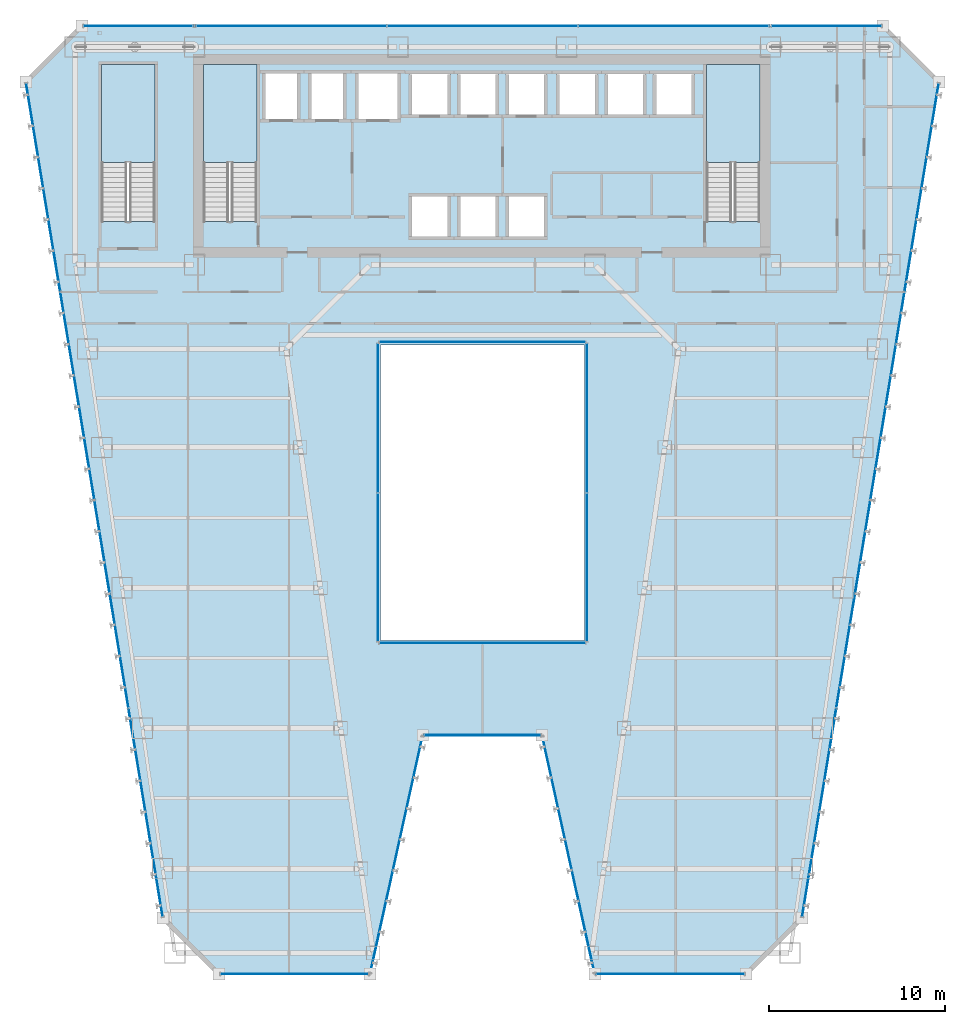
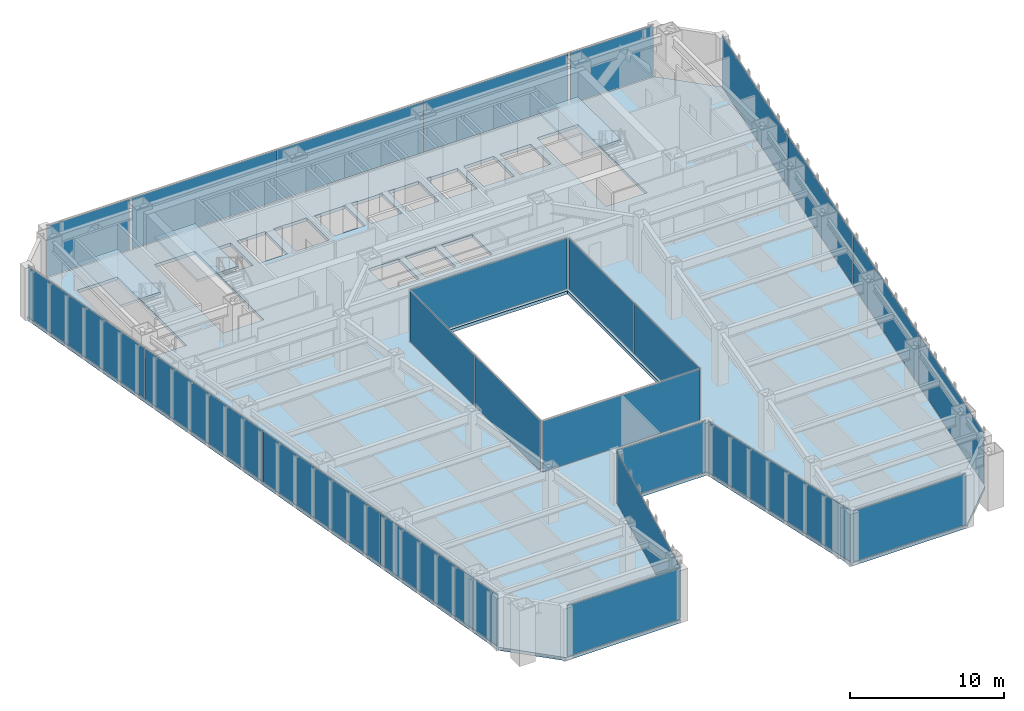
# One storey, part 34 of 47: 24 plates, 4 slabs, 17 elements without a shape of their own.
"""IFC4 building model written with IfcOpenShell, lengths in metres."""

from ifc_helpers import new_model, si_unit, direction, frame, origin, origin_2d, place, context, subcontext, project, spatial, polyline, rectangle, outline, extrude, material, layer, layer_set, type_object, element, aggregate, save


model = new_model("IFC4")

# Units and contexts
model_context = context("Model", 3, precision=1e-05, world=origin(), true_north=direction((0.0, 1.0)))
body_context = subcontext(model_context, "Body", "Model", "MODEL_VIEW")
ifc_project = project(units=[si_unit("LENGTHUNIT", "METRE"), si_unit("AREAUNIT", "SQUARE_METRE"), si_unit("VOLUMEUNIT", "CUBIC_METRE"), si_unit("PLANEANGLEUNIT", "RADIAN"), si_unit("MASSUNIT", "GRAM", prefix="KILO")], contexts=[model_context])

# Site, building, storey
site_placement = place(None, origin())
site = spatial("IfcSite", under=ifc_project, at=site_placement, CompositionType="ELEMENT")
building_placement = place(site_placement, origin())
building = spatial("IfcBuilding", under=site, at=building_placement, Name="Saevonmaru Cultural Tower", CompositionType="ELEMENT")
storey_placement = place(building_placement, frame((0.0, 0.0, 69.199951171875)))
storey = spatial("IfcBuildingStorey", under=building, at=storey_placement, Name="L14", CompositionType="ELEMENT", Elevation=69.199951171875)

# Curtain wall, plate
ifc_material_1 = material(Name="Satin Bronze Anodised Aluminium", Category="aluminium")
curtain_wall_type_1 = type_object("IfcCurtainWallType", Name="CW-ATR-GLZ", PredefinedType="NOTDEFINED", material=ifc_material_1)
curtain_wall_1_placement = place(storey_placement, origin())
curtain_wall_1 = element("IfcCurtainWall", 1, at=curtain_wall_1_placement, inside=storey, type_object=curtain_wall_type_1, Name="L14 Vertical Atrium Glazed Smoke Screen 1", PredefinedType="NOTDEFINED")
ifc_material_2 = material(Name="Fire-Rated Laminated Atrium Glass", Category="glass")
ifc_layer_1 = layer(ifc_material_2, 0.031982421875, Name="Fire-Rated Laminated Atrium Glass")
ifc_layer_set_1 = layer_set([ifc_layer_1], Name="Fire-Rated Laminated Atrium Glass")
plate_type_1 = type_object("IfcPlateType", Name="PN-GLZ-ATR-INT", PredefinedType="CURTAIN_PANEL", material=ifc_layer_set_1)
plate_1_placement = place(storey_placement, frame((30.0, 20.85009765625, 0.06689453125), z_axis=(0.0, 0.0, 1.0), x_axis=(1.0, 0.0, 0.0)))
plate_1 = element("IfcPlate", 2, at=plate_1_placement, type_object=plate_type_1, Name="CW-ATR-L14-1 panel 1.1", PredefinedType="CURTAIN_PANEL", context=body_context, shape_type="SweptSolid", body=[
    extrude(rectangle(XDim=11.7109375, YDim=0.031982421875, at=origin_2d()), origin(), (0.0, 0.0, 1.0), 4.01611328125),
])
aggregate(curtain_wall_1, [plate_1])

# Curtain wall, plates
curtain_wall_2_placement = place(storey_placement, origin())
curtain_wall_2 = element("IfcCurtainWall", 3, at=curtain_wall_2_placement, inside=storey, type_object=curtain_wall_type_1, Name="L14 Vertical Atrium Glazed Smoke Screen 2", PredefinedType="NOTDEFINED")
plate_2_placement = place(storey_placement, frame((35.949951171875, 25.1650390625, 0.06689453125), z_axis=(0.0, 0.0, 1.0), x_axis=(0.0, 1.0, 0.0)))
plate_2 = element("IfcPlate", 4, at=plate_2_placement, type_object=plate_type_1, Name="CW-ATR-L14-2 panel 1.1", PredefinedType="CURTAIN_PANEL", context=body_context, shape_type="SweptSolid", body=[
    extrude(rectangle(XDim=8.44091796875, YDim=0.031982421875, at=origin_2d()), origin(), (0.0, 0.0, 1.0), 4.01611328125),
])
plate_3_placement = place(storey_placement, frame((35.949951171875, 33.675048828125, 0.06689453125), z_axis=(0.0, 0.0, 1.0), x_axis=(0.0, 1.0, 0.0)))
plate_3 = element("IfcPlate", 5, at=plate_3_placement, type_object=plate_type_1, Name="CW-ATR-L14-2 panel 2.1", PredefinedType="CURTAIN_PANEL", context=body_context, shape_type="SweptSolid", body=[
    extrude(rectangle(XDim=8.44091796875, YDim=0.031982421875, at=origin_2d()), origin(), (0.0, 0.0, 1.0), 4.01611328125),
])
aggregate(curtain_wall_2, [plate_2, plate_3])

# Curtain wall, plate
curtain_wall_3_placement = place(storey_placement, origin())
curtain_wall_3 = element("IfcCurtainWall", 6, at=curtain_wall_3_placement, inside=storey, type_object=curtain_wall_type_1, Name="L14 Vertical Atrium Glazed Smoke Screen 3", PredefinedType="NOTDEFINED")
plate_4_placement = place(storey_placement, frame((30.0, 37.989990234375, 0.06689453125), z_axis=(0.0, 0.0, 1.0), x_axis=(-1.0, 0.0, 0.0)))
plate_4 = element("IfcPlate", 7, at=plate_4_placement, type_object=plate_type_1, Name="CW-ATR-L14-3 panel 1.1", PredefinedType="CURTAIN_PANEL", context=body_context, shape_type="SweptSolid", body=[
    extrude(rectangle(XDim=11.7109375, YDim=0.031982421875, at=origin_2d()), origin(), (0.0, 0.0, 1.0), 4.01611328125),
])
aggregate(curtain_wall_3, [plate_4])

# Curtain wall, plates
curtain_wall_4_placement = place(storey_placement, origin())
curtain_wall_4 = element("IfcCurtainWall", 8, at=curtain_wall_4_placement, inside=storey, type_object=curtain_wall_type_1, Name="L14 Vertical Atrium Glazed Smoke Screen 4", PredefinedType="NOTDEFINED")
plate_5_placement = place(storey_placement, frame((24.050048828125, 33.675048828125, 0.06689453125), z_axis=(0.0, 0.0, 1.0), x_axis=(0.0, -1.0, 0.0)))
plate_5 = element("IfcPlate", 9, at=plate_5_placement, type_object=plate_type_1, Name="CW-ATR-L14-4 panel 1.1", PredefinedType="CURTAIN_PANEL", context=body_context, shape_type="SweptSolid", body=[
    extrude(rectangle(XDim=8.44091796875, YDim=0.031982421875, at=origin_2d()), origin(), (0.0, 0.0, 1.0), 4.01611328125),
])
plate_6_placement = place(storey_placement, frame((24.050048828125, 25.1650390625, 0.06689453125), z_axis=(0.0, 0.0, 1.0), x_axis=(0.0, -1.0, 0.0)))
plate_6 = element("IfcPlate", 10, at=plate_6_placement, type_object=plate_type_1, Name="CW-ATR-L14-4 panel 2.1", PredefinedType="CURTAIN_PANEL", context=body_context, shape_type="SweptSolid", body=[
    extrude(rectangle(XDim=8.44091796875, YDim=0.031982421875, at=origin_2d()), origin(), (0.0, 0.0, 1.0), 4.01611328125),
])
aggregate(curtain_wall_4, [plate_5, plate_6])

# Curtain wall, plate
curtain_wall_type_2 = type_object("IfcCurtainWallType", Name="CW-TYP-A", PredefinedType="NOTDEFINED", material=ifc_material_1)
curtain_wall_5_placement = place(storey_placement, origin())
curtain_wall_5 = element("IfcCurtainWall", 11, at=curtain_wall_5_placement, inside=storey, type_object=curtain_wall_type_2, Name="L14 Unitised Curtain Wall E2", PredefinedType="NOTDEFINED")
ifc_material_3 = material(Name="Triple Silver Low-E Insulating Glass", Category="glass")
ifc_layer_2 = layer(ifc_material_3, 0.035888671875, Name="Triple Silver Low-E Insulating Glass")
ifc_layer_set_2 = layer_set([ifc_layer_2], Name="Triple Silver Low-E Insulating Glass")
plate_type_2 = type_object("IfcPlateType", Name="PN-GLZ-IGU", PredefinedType="CURTAIN_PANEL", material=ifc_layer_set_2)
plate_7_placement = place(storey_placement, frame((19.300048828125, 2.0, 0.06689453125), z_axis=(0.0, 0.0, 1.0), x_axis=(1.0, 0.0, 0.0)))
plate_7 = element("IfcPlate", 12, at=plate_7_placement, type_object=plate_type_2, Name="CW-TW-L14-E2 panel 1.1", PredefinedType="CURTAIN_PANEL", context=body_context, shape_type="SweptSolid", body=[
    extrude(rectangle(XDim=8.410888671875, YDim=0.035888671875, at=origin_2d()), origin(), (0.0, 0.0, 1.0), 4.01611328125),
])
aggregate(curtain_wall_5, [plate_7])

curtain_wall_6_placement = place(storey_placement, origin())
curtain_wall_6 = element("IfcCurtainWall", 13, at=curtain_wall_6_placement, inside=storey, type_object=curtain_wall_type_2, Name="L14 Unitised Curtain Wall E3", PredefinedType="NOTDEFINED")
plate_8_placement = place(storey_placement, frame((25.10009765625, 8.800048828125, 0.06689453125), z_axis=(0.0, 0.0, 1.0), x_axis=(0.215413319953, 0.976522965212, 0.0)))
plate_8 = element("IfcPlate", 14, at=plate_8_placement, type_object=plate_type_2, Name="CW-TW-L14-E3 panel 1.1", PredefinedType="CURTAIN_PANEL", context=body_context, shape_type="SweptSolid", body=[
    extrude(rectangle(XDim=13.738037109375, YDim=0.035888671875, at=origin_2d()), origin(), (0.0, 0.0, 1.0), 4.01611328125),
])
aggregate(curtain_wall_6, [plate_8])

curtain_wall_7_placement = place(storey_placement, origin())
curtain_wall_7 = element("IfcCurtainWall", 15, at=curtain_wall_7_placement, inside=storey, type_object=curtain_wall_type_2, Name="L14 Unitised Curtain Wall E4", PredefinedType="NOTDEFINED")
plate_9_placement = place(storey_placement, frame((30.0, 15.60009765625, 0.06689453125), z_axis=(0.0, 0.0, 1.0), x_axis=(1.0, 0.0, 0.0)))
plate_9 = element("IfcPlate", 16, at=plate_9_placement, type_object=plate_type_2, Name="CW-TW-L14-E4 panel 1.1", PredefinedType="CURTAIN_PANEL", context=body_context, shape_type="SweptSolid", body=[
    extrude(rectangle(XDim=6.611083984375, YDim=0.035888671875, at=origin_2d()), origin(), (0.0, 0.0, 1.0), 4.01611328125),
])
aggregate(curtain_wall_7, [plate_9])

curtain_wall_8_placement = place(storey_placement, origin())
curtain_wall_8 = element("IfcCurtainWall", 17, at=curtain_wall_8_placement, inside=storey, type_object=curtain_wall_type_2, Name="L14 Unitised Curtain Wall E5", PredefinedType="NOTDEFINED")
plate_10_placement = place(storey_placement, frame((34.89990234375, 8.800048828125, 0.06689453125), z_axis=(0.0, 0.0, 1.0), x_axis=(0.215413319953, -0.976522965212, 0.0)))
plate_10 = element("IfcPlate", 18, at=plate_10_placement, type_object=plate_type_2, Name="CW-TW-L14-E5 panel 1.1", PredefinedType="CURTAIN_PANEL", context=body_context, shape_type="SweptSolid", body=[
    extrude(rectangle(XDim=13.738037109375, YDim=0.035888671875, at=origin_2d()), origin(), (0.0, 0.0, 1.0), 4.01611328125),
])
aggregate(curtain_wall_8, [plate_10])

curtain_wall_9_placement = place(storey_placement, origin())
curtain_wall_9 = element("IfcCurtainWall", 19, at=curtain_wall_9_placement, inside=storey, type_object=curtain_wall_type_2, Name="L14 Unitised Curtain Wall E6", PredefinedType="NOTDEFINED")
plate_11_placement = place(storey_placement, frame((40.699951171875, 2.0, 0.06689453125), z_axis=(0.0, 0.0, 1.0), x_axis=(1.0, 0.0, 0.0)))
plate_11 = element("IfcPlate", 20, at=plate_11_placement, type_object=plate_type_2, Name="CW-TW-L14-E6 panel 1.1", PredefinedType="CURTAIN_PANEL", context=body_context, shape_type="SweptSolid", body=[
    extrude(rectangle(XDim=8.410888671875, YDim=0.035888671875, at=origin_2d()), origin(), (0.0, 0.0, 1.0), 4.01611328125),
])
aggregate(curtain_wall_9, [plate_11])

# Curtain wall, plates
curtain_wall_10_placement = place(storey_placement, origin())
curtain_wall_10 = element("IfcCurtainWall", 21, at=curtain_wall_10_placement, inside=storey, type_object=curtain_wall_type_2, Name="L14 Unitised Curtain Wall E8", PredefinedType="NOTDEFINED")
plate_12_placement = place(storey_placement, frame((49.182373046875, 11.1943359375, 0.06689453125), z_axis=(0.0, 0.0, 1.0), x_axis=(0.161708868641, 0.986838508472, 0.0)))
plate_12 = element("IfcPlate", 22, at=plate_12_placement, type_object=plate_type_2, Name="CW-TW-L14-E8 panel 1.1", PredefinedType="CURTAIN_PANEL", context=body_context, shape_type="SweptSolid", body=[
    extrude(rectangle(XDim=11.959716796875, YDim=0.035888671875, at=origin_2d()), origin(), (0.0, 0.0, 1.0), 4.01611328125),
])
plate_13_placement = place(storey_placement, frame((51.12744140625, 23.064697265625, 0.06689453125), z_axis=(0.0, 0.0, 1.0), x_axis=(0.161708868641, 0.986838508472, 0.0)))
plate_13 = element("IfcPlate", 23, at=plate_13_placement, type_object=plate_type_2, Name="CW-TW-L14-E8 panel 2.1", PredefinedType="CURTAIN_PANEL", context=body_context, shape_type="SweptSolid", body=[
    extrude(rectangle(XDim=11.959716796875, YDim=0.035888671875, at=origin_2d()), origin(), (0.0, 0.0, 1.0), 4.01611328125),
])
plate_14_placement = place(storey_placement, frame((53.072509765625, 34.935302734375, 0.06689453125), z_axis=(0.0, 0.0, 1.0), x_axis=(0.161708868641, 0.986838508472, 0.0)))
plate_14 = element("IfcPlate", 24, at=plate_14_placement, type_object=plate_type_2, Name="CW-TW-L14-E8 panel 3.1", PredefinedType="CURTAIN_PANEL", context=body_context, shape_type="SweptSolid", body=[
    extrude(rectangle(XDim=11.959716796875, YDim=0.035888671875, at=origin_2d()), origin(), (0.0, 0.0, 1.0), 4.01611328125),
])
plate_15_placement = place(storey_placement, frame((55.017822265625, 46.8056640625, 0.06689453125), z_axis=(0.0, 0.0, 1.0), x_axis=(0.161708868641, 0.986838508472, 0.0)))
plate_15 = element("IfcPlate", 25, at=plate_15_placement, type_object=plate_type_2, Name="CW-TW-L14-E8 panel 4.1", PredefinedType="CURTAIN_PANEL", context=body_context, shape_type="SweptSolid", body=[
    extrude(rectangle(XDim=11.959716796875, YDim=0.035888671875, at=origin_2d()), origin(), (0.0, 0.0, 1.0), 4.01611328125),
])
aggregate(curtain_wall_10, [plate_12, plate_13, plate_14, plate_15])

curtain_wall_11_placement = place(storey_placement, origin())
curtain_wall_11 = element("IfcCurtainWall", 26, at=curtain_wall_11_placement, inside=storey, type_object=curtain_wall_type_2, Name="L14 North Spine Unitised Curtain Wall E10B", PredefinedType="NOTDEFINED")
plate_16_placement = place(storey_placement, frame((40.893310546875, 56.0, 0.06689453125), z_axis=(0.0, 0.0, 1.0), x_axis=(-1.0, 0.0, 0.0)))
plate_16 = element("IfcPlate", 27, at=plate_16_placement, type_object=plate_type_2, Name="CW-TW-L14-E10B panel 1.1", PredefinedType="CURTAIN_PANEL", context=body_context, shape_type="SweptSolid", body=[
    extrude(rectangle(XDim=10.82421875, YDim=0.035888671875, at=origin_2d()), origin(), (0.0, 0.0, 1.0), 4.01611328125),
])
plate_17_placement = place(storey_placement, frame((30.0, 56.0, 0.06689453125), z_axis=(0.0, 0.0, 1.0), x_axis=(-1.0, 0.0, 0.0)))
plate_17 = element("IfcPlate", 28, at=plate_17_placement, type_object=plate_type_2, Name="CW-TW-L14-E10B panel 2.1", PredefinedType="CURTAIN_PANEL", context=body_context, shape_type="SweptSolid", body=[
    extrude(rectangle(XDim=10.82421875, YDim=0.035888671875, at=origin_2d()), origin(), (0.0, 0.0, 1.0), 4.01611328125),
])
plate_18_placement = place(storey_placement, frame((19.106689453125, 56.0, 0.06689453125), z_axis=(0.0, 0.0, 1.0), x_axis=(-1.0, 0.0, 0.0)))
plate_18 = element("IfcPlate", 29, at=plate_18_placement, type_object=plate_type_2, Name="CW-TW-L14-E10B panel 3.1", PredefinedType="CURTAIN_PANEL", context=body_context, shape_type="SweptSolid", body=[
    extrude(rectangle(XDim=10.82421875, YDim=0.035888671875, at=origin_2d()), origin(), (0.0, 0.0, 1.0), 4.01611328125),
])
aggregate(curtain_wall_11, [plate_16, plate_17, plate_18])

curtain_wall_12_placement = place(storey_placement, origin())
curtain_wall_12 = element("IfcCurtainWall", 30, at=curtain_wall_12_placement, inside=storey, type_object=curtain_wall_type_2, Name="L14 Unitised Curtain Wall E12", PredefinedType="NOTDEFINED")
plate_19_placement = place(storey_placement, frame((4.982177734375, 46.8056640625, 0.06689453125), z_axis=(0.0, 0.0, 1.0), x_axis=(0.161708868641, -0.986838508472, 0.0)))
plate_19 = element("IfcPlate", 31, at=plate_19_placement, type_object=plate_type_2, Name="CW-TW-L14-E12 panel 1.1", PredefinedType="CURTAIN_PANEL", context=body_context, shape_type="SweptSolid", body=[
    extrude(rectangle(XDim=11.959716796875, YDim=0.035888671875, at=origin_2d()), origin(), (0.0, 0.0, 1.0), 4.01611328125),
])
plate_20_placement = place(storey_placement, frame((6.927490234375, 34.935302734375, 0.06689453125), z_axis=(0.0, 0.0, 1.0), x_axis=(0.161708868641, -0.986838508472, 0.0)))
plate_20 = element("IfcPlate", 32, at=plate_20_placement, type_object=plate_type_2, Name="CW-TW-L14-E12 panel 2.1", PredefinedType="CURTAIN_PANEL", context=body_context, shape_type="SweptSolid", body=[
    extrude(rectangle(XDim=11.959716796875, YDim=0.035888671875, at=origin_2d()), origin(), (0.0, 0.0, 1.0), 4.01611328125),
])
plate_21_placement = place(storey_placement, frame((8.87255859375, 23.064697265625, 0.06689453125), z_axis=(0.0, 0.0, 1.0), x_axis=(0.161708868641, -0.986838508472, 0.0)))
plate_21 = element("IfcPlate", 33, at=plate_21_placement, type_object=plate_type_2, Name="CW-TW-L14-E12 panel 3.1", PredefinedType="CURTAIN_PANEL", context=body_context, shape_type="SweptSolid", body=[
    extrude(rectangle(XDim=11.959716796875, YDim=0.035888671875, at=origin_2d()), origin(), (0.0, 0.0, 1.0), 4.01611328125),
])
plate_22_placement = place(storey_placement, frame((10.817626953125, 11.1943359375, 0.06689453125), z_axis=(0.0, 0.0, 1.0), x_axis=(0.161708868641, -0.986838508472, 0.0)))
plate_22 = element("IfcPlate", 34, at=plate_22_placement, type_object=plate_type_2, Name="CW-TW-L14-E12 panel 4.1", PredefinedType="CURTAIN_PANEL", context=body_context, shape_type="SweptSolid", body=[
    extrude(rectangle(XDim=11.959716796875, YDim=0.035888671875, at=origin_2d()), origin(), (0.0, 0.0, 1.0), 4.01611328125),
])
aggregate(curtain_wall_12, [plate_19, plate_20, plate_21, plate_22])

# Curtain wall, plate
curtain_wall_13_placement = place(storey_placement, origin())
curtain_wall_13 = element("IfcCurtainWall", 35, at=curtain_wall_13_placement, inside=storey, type_object=curtain_wall_type_2, Name="L14 East Braced Bay Spandrel Curtain Wall E10A", PredefinedType="NOTDEFINED")
ifc_material_4 = material(Name="Insulated Satin Bronze Aluminium Spandrel Panel", Category="aluminium")
ifc_layer_3 = layer(ifc_material_4, 0.0400390625, Name="Insulated Satin Bronze Aluminium Spandrel Panel")
ifc_layer_set_3 = layer_set([ifc_layer_3], Name="Insulated Satin Bronze Aluminium Spandrel Panel")
plate_type_3 = type_object("IfcPlateType", Name="PN-SPANDREL-BRONZE", PredefinedType="CURTAIN_PANEL", material=ifc_layer_set_3)
plate_23_placement = place(storey_placement, frame((49.60009765625, 56.0, 0.06689453125), z_axis=(0.0, 0.0, 1.0), x_axis=(-1.0, 0.0, 0.0)))
plate_23 = element("IfcPlate", 36, at=plate_23_placement, type_object=plate_type_3, Name="CW-TW-L14-E10A panel 1.1", PredefinedType="CURTAIN_PANEL", context=body_context, shape_type="SweptSolid", body=[
    extrude(rectangle(XDim=6.2109375, YDim=0.035888671875, at=origin_2d()), origin(), (0.0, 0.0, 1.0), 4.01611328125),
])
aggregate(curtain_wall_13, [plate_23])

curtain_wall_14_placement = place(storey_placement, origin())
curtain_wall_14 = element("IfcCurtainWall", 37, at=curtain_wall_14_placement, inside=storey, type_object=curtain_wall_type_2, Name="L14 West Braced Bay Spandrel Curtain Wall E10C", PredefinedType="NOTDEFINED")
plate_24_placement = place(storey_placement, frame((10.39990234375, 56.0, 0.06689453125), z_axis=(0.0, 0.0, 1.0), x_axis=(-1.0, 0.0, 0.0)))
plate_24 = element("IfcPlate", 38, at=plate_24_placement, type_object=plate_type_3, Name="CW-TW-L14-E10C panel 1.1", PredefinedType="CURTAIN_PANEL", context=body_context, shape_type="SweptSolid", body=[
    extrude(rectangle(XDim=6.2109375, YDim=0.035888671875, at=origin_2d()), origin(), (0.0, 0.0, 1.0), 4.01611328125),
])
aggregate(curtain_wall_14, [plate_24])

# Slab
ifc_material_5 = material(Name="Concrete C40/50", Category="concrete")
ifc_layer_4 = layer(ifc_material_5, 0.25, Name="Concrete C40/50")
ifc_layer_set_4 = layer_set([ifc_layer_4], Name="Concrete C40/50")
slab_type_1 = type_object("IfcSlabType", Name="SL-FLR-250", PredefinedType="FLOOR", material=ifc_layer_set_4)
slab_1_placement = place(storey_placement, frame((0.0, 0.0, -0.25)))
element("IfcSlab", 39, at=slab_1_placement, inside=storey, type_object=slab_type_1, Name="L14 Tower Structural Floor Slab", PredefinedType="FLOOR", context=body_context, shape_type="SweptSolid", body=[
    extrude(outline(polyline([(11.800048828125, 5.199951171875), (15.0, 2.0), (23.60009765625, 2.0), (26.60009765625, 15.60009765625), (33.39990234375, 15.60009765625), (36.39990234375, 2.0), (45.0, 2.0), (48.199951171875, 5.199951171875), (56.0, 52.800048828125), (52.800048828125, 56.0), (7.199951171875, 56.0), (4.0, 52.800048828125), (11.800048828125, 5.199951171875)]), holes=[polyline([(45.800048828125, 44.875), (42.75, 44.875), (42.75, 53.800048828125), (45.800048828125, 53.800048828125), (45.800048828125, 44.875)]), polyline([(39.75, 50.800048828125), (39.75, 53.39990234375), (42.050048828125, 53.39990234375), (42.050048828125, 50.800048828125), (39.75, 50.800048828125)]), polyline([(37.0, 50.800048828125), (37.0, 53.39990234375), (39.300048828125, 53.39990234375), (39.300048828125, 50.800048828125), (37.0, 50.800048828125)]), polyline([(34.25, 50.800048828125), (34.25, 53.39990234375), (36.550048828125, 53.39990234375), (36.550048828125, 50.800048828125), (34.25, 50.800048828125)]), polyline([(24.199951171875, 21.0), (24.199951171875, 37.840087890625), (35.800048828125, 37.840087890625), (35.800048828125, 21.0), (24.199951171875, 21.0)]), polyline([(31.35009765625, 50.800048828125), (31.35009765625, 53.39990234375), (33.64990234375, 53.39990234375), (33.64990234375, 50.800048828125), (31.35009765625, 50.800048828125)]), polyline([(31.35009765625, 43.85009765625), (31.35009765625, 46.449951171875), (33.64990234375, 46.449951171875), (33.64990234375, 43.85009765625), (31.35009765625, 43.85009765625)]), polyline([(28.60009765625, 43.85009765625), (28.60009765625, 46.449951171875), (30.89990234375, 46.449951171875), (30.89990234375, 43.85009765625), (28.60009765625, 43.85009765625)]), polyline([(28.60009765625, 50.800048828125), (28.60009765625, 53.39990234375), (30.89990234375, 53.39990234375), (30.89990234375, 50.800048828125), (28.60009765625, 50.800048828125)]), polyline([(25.85009765625, 50.800048828125), (25.85009765625, 53.39990234375), (28.14990234375, 53.39990234375), (28.14990234375, 50.800048828125), (25.85009765625, 50.800048828125)]), polyline([(25.85009765625, 43.85009765625), (25.85009765625, 46.449951171875), (28.14990234375, 46.449951171875), (28.14990234375, 43.85009765625), (25.85009765625, 43.85009765625)]), polyline([(22.800048828125, 50.550048828125), (22.800048828125, 53.449951171875), (25.300048828125, 53.449951171875), (25.300048828125, 50.550048828125), (22.800048828125, 50.550048828125)]), polyline([(20.10009765625, 50.550048828125), (20.10009765625, 53.449951171875), (22.199951171875, 53.449951171875), (22.199951171875, 50.550048828125), (20.10009765625, 50.550048828125)]), polyline([(17.5, 50.550048828125), (17.5, 53.449951171875), (19.60009765625, 53.449951171875), (19.60009765625, 50.550048828125), (17.5, 50.550048828125)]), polyline([(17.14990234375, 44.875), (14.10009765625, 44.875), (14.10009765625, 53.800048828125), (17.14990234375, 53.800048828125), (17.14990234375, 44.875)]), polyline([(11.35009765625, 44.875), (8.300048828125, 44.875), (8.300048828125, 53.800048828125), (11.35009765625, 53.800048828125), (11.35009765625, 44.875)])]), origin(), (0.0, 0.0, 1.0), 0.25),
])

# Stair, slab
stair_type = type_object("IfcStairType", Name="STR-DOGLEG-RC", PredefinedType="HALF_TURN_STAIR", material=ifc_material_5)
stair_1_placement = place(storey_placement, origin())
stair_1 = element("IfcStair", 40, at=stair_1_placement, inside=storey, type_object=stair_type, Name="L14 Protected exit stair ST-1", PredefinedType="HALF_TURN_STAIR")
ifc_layer_5 = layer(ifc_material_5, 0.199951171875, Name="Concrete C40/50")
ifc_layer_set_5 = layer_set([ifc_layer_5], Name="Concrete C40/50")
slab_type_2 = type_object("IfcSlabType", Name="SL-STAIR-LANDING", PredefinedType="LANDING", material=ifc_layer_set_5)
slab_2_placement = place(storey_placement, frame((0.0, 0.0, 2.0)))
slab_2 = element("IfcSlab", 41, at=slab_2_placement, type_object=slab_type_2, Name="ST-1-L14 landing 1", PredefinedType="LANDING", context=body_context, shape_type="SweptSolid", body=[
    extrude(outline(polyline([(17.14990234375, 48.2099609375), (17.14990234375, 53.800048828125), (14.10009765625, 53.800048828125), (14.10009765625, 48.2099609375), (17.14990234375, 48.2099609375)])), origin(), (0.0, 0.0, 1.0), 0.199951171875),
])
aggregate(stair_1, [slab_2])

stair_2_placement = place(storey_placement, origin())
stair_2 = element("IfcStair", 42, at=stair_2_placement, inside=storey, type_object=stair_type, Name="L14 Protected exit stair ST-2", PredefinedType="HALF_TURN_STAIR")
slab_3_placement = place(storey_placement, frame((0.0, 0.0, 2.0)))
slab_3 = element("IfcSlab", 43, at=slab_3_placement, type_object=slab_type_2, Name="ST-2-L14 landing 1", PredefinedType="LANDING", context=body_context, shape_type="SweptSolid", body=[
    extrude(outline(polyline([(45.800048828125, 48.2099609375), (45.800048828125, 53.800048828125), (42.75, 53.800048828125), (42.75, 48.2099609375), (45.800048828125, 48.2099609375)])), origin(), (0.0, 0.0, 1.0), 0.199951171875),
])
aggregate(stair_2, [slab_3])

stair_3_placement = place(storey_placement, origin())
stair_3 = element("IfcStair", 44, at=stair_3_placement, inside=storey, type_object=stair_type, Name="L14 Protected exit stair ST-3", PredefinedType="HALF_TURN_STAIR")
slab_4_placement = place(storey_placement, frame((0.0, 0.0, 2.0)))
slab_4 = element("IfcSlab", 45, at=slab_4_placement, type_object=slab_type_2, Name="ST-3-L14 landing 1", PredefinedType="LANDING", context=body_context, shape_type="SweptSolid", body=[
    extrude(outline(polyline([(11.35009765625, 48.2099609375), (11.35009765625, 53.800048828125), (8.300048828125, 53.800048828125), (8.300048828125, 48.2099609375), (11.35009765625, 48.2099609375)])), origin(), (0.0, 0.0, 1.0), 0.199951171875),
])
aggregate(stair_3, [slab_4])

save(model, "model.ifc")
